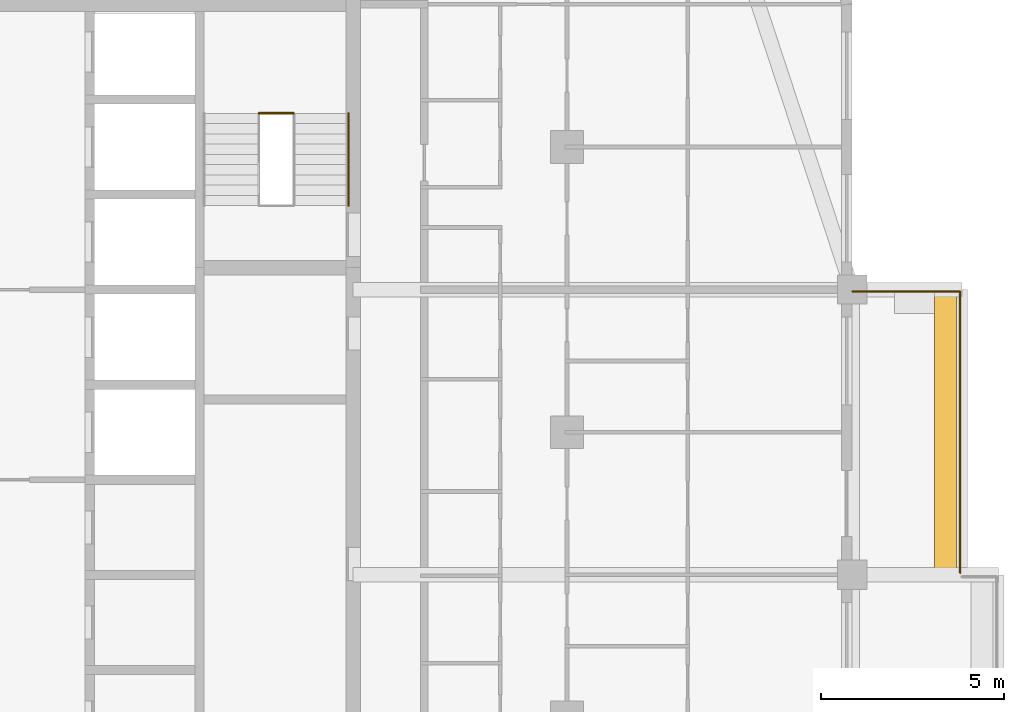
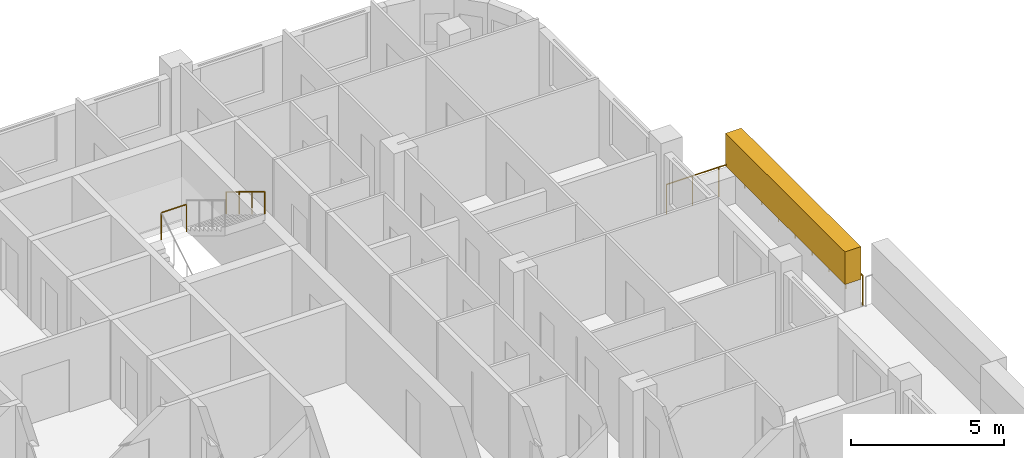
# One storey, part 16 of 16: 3 railings, 1 covering, 1 element without a shape of its own.
"""IFC4 building model written with IfcOpenShell, lengths in metres."""

from ifc_helpers import new_model, si_unit, direction, frame, origin, origin_2d, place, context, subcontext, project, spatial, rectangle, circle, extrude, material, layer, layer_set, type_object, element, aggregate, save


model = new_model("IFC4")

# Units and contexts
model_context = context("Model", 3, precision=1e-05, world=origin(), true_north=direction((0.0, 1.0)))
body_context = subcontext(model_context, "Body", "Model", "MODEL_VIEW")
ifc_project = project(units=[si_unit("LENGTHUNIT", "METRE"), si_unit("AREAUNIT", "SQUARE_METRE"), si_unit("VOLUMEUNIT", "CUBIC_METRE"), si_unit("PLANEANGLEUNIT", "RADIAN"), si_unit("MASSUNIT", "GRAM", prefix="KILO")], contexts=[model_context])

# Site, building, storey
site_placement = place(None, origin())
site = spatial("IfcSite", under=ifc_project, at=site_placement, CompositionType="ELEMENT")
building_placement = place(site_placement, origin())
building = spatial("IfcBuilding", under=site, at=building_placement, Name="Ludao Terraces", CompositionType="ELEMENT")
storey_placement = place(building_placement, frame((0.0, 0.0, 234.699951171875)))
storey = spatial("IfcBuildingStorey", under=building, at=storey_placement, Name="L64", CompositionType="ELEMENT", Elevation=234.699951171875)

# Railing
ifc_material_1 = material(Name="Stainless steel 304", Category="steel")
railing_type_1 = type_object("IfcRailingType", Name="ENV Balcony glass guard 1200", PredefinedType="GUARDRAIL", material=ifc_material_1)
railing_1_placement = place(storey_placement, frame((111.35009765625, 68.949951171875, 0.0)))
element("IfcRailing", 1, at=railing_1_placement, inside=storey, type_object=railing_type_1, Name="Balcony guard L64 E3", PredefinedType="GUARDRAIL", context=body_context, shape_type="SweptSolid", body=[
    extrude(circle(Radius=0.02392578125, at=origin_2d()), frame((0.0, 0.0, 1.17578125), z_axis=(0.0, 1.0, 0.0), x_axis=(-1.0, 0.0, 0.0)), (0.0, 0.0, 1.0), 7.699951171875),
    extrude(circle(Radius=0.02392578125, at=origin_2d()), frame((0.0, 7.699951171875, 1.17578125), z_axis=(-1.0, 0.0, 0.0), x_axis=(0.0, -1.0, 0.0)), (0.0, 0.0, 1.0), 2.9501953125),
    extrude(circle(Radius=0.02099609375, at=origin_2d()), origin(), (0.0, 0.0, 1.0), 1.15185546875),
    extrude(circle(Radius=0.02099609375, at=origin_2d()), frame((0.0, 1.10009765625, 0.0)), (0.0, 0.0, 1.0), 1.15185546875),
    extrude(circle(Radius=0.02099609375, at=origin_2d()), frame((0.0, 2.199951171875, 0.0)), (0.0, 0.0, 1.0), 1.15185546875),
    extrude(circle(Radius=0.02099609375, at=origin_2d()), frame((0.0, 3.300048828125, 0.0)), (0.0, 0.0, 1.0), 1.15185546875),
    extrude(circle(Radius=0.02099609375, at=origin_2d()), frame((0.0, 4.39990234375, 0.0)), (0.0, 0.0, 1.0), 1.15185546875),
    extrude(circle(Radius=0.02099609375, at=origin_2d()), frame((0.0, 5.5, 0.0)), (0.0, 0.0, 1.0), 1.15185546875),
    extrude(circle(Radius=0.02099609375, at=origin_2d()), frame((0.0, 6.599853515625, 0.0)), (0.0, 0.0, 1.0), 1.15185546875),
    extrude(circle(Radius=0.02099609375, at=origin_2d()), frame((0.0, 7.699951171875, 0.0)), (0.0, 0.0, 1.0), 1.15185546875),
    extrude(circle(Radius=0.02099609375, at=origin_2d()), frame((-0.9833984375, 7.699951171875, 0.0)), (0.0, 0.0, 1.0), 1.15185546875),
    extrude(circle(Radius=0.02099609375, at=origin_2d()), frame((-1.966796875, 7.699951171875, 0.0)), (0.0, 0.0, 1.0), 1.15185546875),
    extrude(circle(Radius=0.02099609375, at=origin_2d()), frame((-2.9501953125, 7.699951171875, 0.0)), (0.0, 0.0, 1.0), 1.15185546875),
])

# Covering
ifc_material_2 = material(Name="Planting")
ifc_layer = layer(ifc_material_2, 0.60009765625)
ifc_layer_set = layer_set([ifc_layer], Name="ENV Planting hedge 600x1300")
covering_type = type_object("IfcCoveringType", Name="ENV Planting hedge 600x1300", PredefinedType="USERDEFINED", material=ifc_layer_set)
covering_placement = place(storey_placement, frame((110.949951171875, 72.800048828125, 1.10009765625), z_axis=(0.0, 0.0, 1.0), x_axis=(1.0, 0.0, 0.0)))
element("IfcCovering", 2, at=covering_placement, inside=storey, type_object=covering_type, Name="Planting hedge L64-E3", ObjectType="PLANTING", PredefinedType="USERDEFINED", context=body_context, shape_type="SweptSolid", body=[
    extrude(rectangle(XDim=0.60009765625, YDim=7.800048828125, at=origin_2d()), origin(), (0.0, 0.0, 1.0), 1.300048828125),
])

# Stair, railings
ifc_material_3 = material(Name="Concrete C40", Category="concrete")
stair_type = type_object("IfcStairType", Name="INT Stair", PredefinedType="HALF_TURN_STAIR", material=ifc_material_3)
stair_placement = place(storey_placement, origin())
stair = element("IfcStair", 3, at=stair_placement, inside=storey, type_object=stair_type, Name="EXIT STAIR 2", PredefinedType="HALF_TURN_STAIR")
railing_type_2 = type_object("IfcRailingType", Name="INT Stair guard 1100", PredefinedType="GUARDRAIL", material=ifc_material_1)
railing_2_placement = place(storey_placement, frame((92.175048828125, 81.52001953125, 1.699951171875)))
railing_2 = element("IfcRailing", 4, at=railing_2_placement, type_object=railing_type_2, Name="ST-L64-S2-E1G", PredefinedType="GUARDRAIL", context=body_context, shape_type="SweptSolid", body=[
    extrude(circle(Radius=0.02392578125, at=origin_2d()), frame((0.0, 0.0, 1.076171875), z_axis=(1.0, 0.0, 0.0), x_axis=(0.0, 1.0, 0.0)), (0.0, 0.0, 1.0), 0.949951171875),
    extrude(circle(Radius=0.02099609375, at=origin_2d()), origin(), (0.0, 0.0, 1.0), 1.052001953125),
    extrude(circle(Radius=0.02099609375, at=origin_2d()), frame((0.949951171875, 0.0, 0.0)), (0.0, 0.0, 1.0), 1.052001953125),
])
railing_type_3 = type_object("IfcRailingType", Name="INT Stair handrail 900", PredefinedType="HANDRAIL", material=ifc_material_1)
railing_3_placement = place(storey_placement, frame((94.625, 81.52001953125, 1.8701171875)))
railing_3 = element("IfcRailing", 5, at=railing_3_placement, type_object=railing_type_3, Name="ST-L64-S2-R2H", PredefinedType="HANDRAIL", context=body_context, shape_type="SweptSolid", body=[
    extrude(circle(Radius=0.02392578125, at=origin_2d()), frame((0.0, 0.0, 0.8759765625), z_axis=(0.0, -0.85478489116, 0.518982456201), x_axis=(1.0, 0.0, 0.0)), (0.0, 0.0, 1.0), 2.9482421875),
    extrude(circle(Radius=0.02099609375, at=origin_2d()), origin(), (0.0, 0.0, 1.0), 0.851806640625),
    extrude(circle(Radius=0.02099609375, at=origin_2d()), frame((0.0, -0.840087890625, 0.510009765625)), (0.0, 0.0, 1.0), 0.851806640625),
    extrude(circle(Radius=0.02099609375, at=origin_2d()), frame((0.0, -1.679931640625, 1.02001953125)), (0.0, 0.0, 1.0), 0.851806640625),
    extrude(circle(Radius=0.02099609375, at=origin_2d()), frame((0.0, -2.52001953125, 1.530029296875)), (0.0, 0.0, 1.0), 0.851806640625),
])
aggregate(stair, [railing_3, railing_2])

save(model, "model.ifc")
